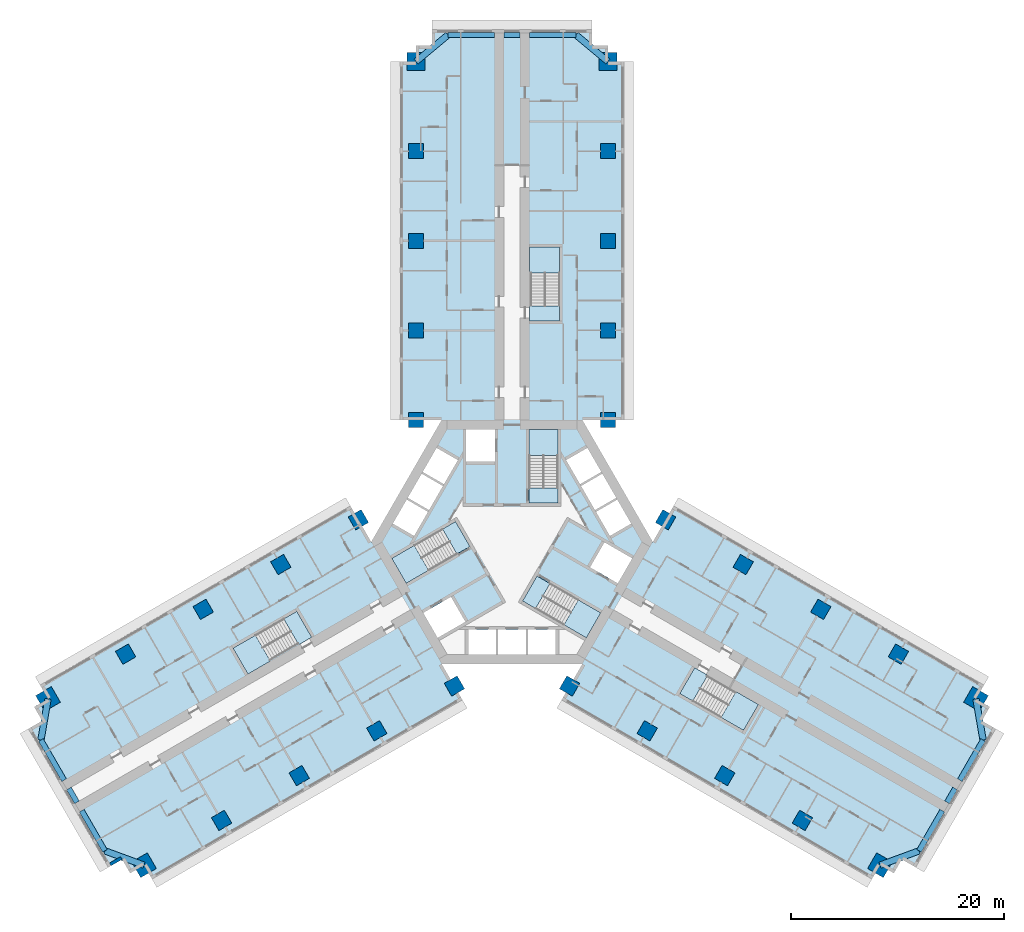
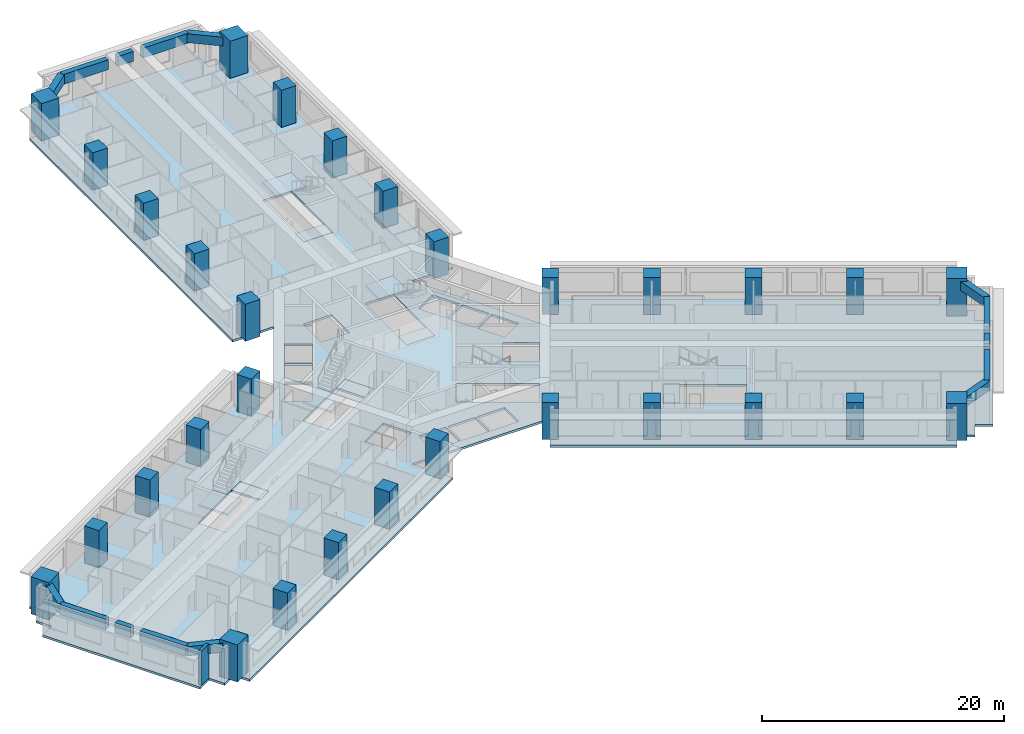
# One storey, part 1 of 14: 30 columns, 15 beams, 13 slabs, 1 wall, 6 elements without a shape of their own.
"""IFC4 building model written with IfcOpenShell, lengths in metres."""

import ifcopenshell
import ifcopenshell.guid

model = None  # the IFC model being written
_history = None  # IfcOwnerHistory: only IFC2X3 demands one
_inside = {}  # id of a spatial element -> (the spatial element, [elements in it])
_under = {}  # id of a project, library or spatial element -> (it, [spatial elements below it])
_declared = {}  # id of a project -> (the project, [libraries it declares])
_typed = {}  # id of a type object -> (the type object, [elements of that type])
_made_of = {}  # id of a material, layer set ... -> (it, [elements and type objects made of it])


def new_model(schema):
    """Start an empty IFC model of exactly this schema.

    Asked for "IFC4X3", IfcOpenShell would pick the latest addendum, in which some entities
    have other attributes; the version numbers below select the first issue.
    IFC2X3 requires an IfcOwnerHistory on every rooted entity: one is made here for all.
    """
    global model, _history
    if schema == "IFC4X3":
        model = ifcopenshell.file(schema_version=(4, 3, 0, 0))
    else:
        model = ifcopenshell.file(schema=schema)
    _inside.clear()
    _under.clear()
    _declared.clear()
    _typed.clear()
    _made_of.clear()
    _history = None
    if model.schema == "IFC2X3":
        org = make("IfcOrganization", Name="unknown")
        user = make(
            "IfcPersonAndOrganization",
            ThePerson=make("IfcPerson", FamilyName="unknown"),
            TheOrganization=org,
        )
        app = make(
            "IfcApplication",
            ApplicationDeveloper=org,
            Version="unknown",
            ApplicationFullName="unknown",
            ApplicationIdentifier="unknown",
        )
        _history = make(
            "IfcOwnerHistory",
            OwningUser=user,
            OwningApplication=app,
            ChangeAction="ADDED",
            CreationDate=0,
        )
    return model


def make(cls, **values):
    """One entity of the class cls with the attributes given. An attribute that is None is left unset."""
    return model.create_entity(
        cls, **{name: value for name, value in values.items() if value is not None}
    )


def rooted(cls, **values):
    """An entity with a GlobalId (a new one), such as an element, a storey or a relation."""
    return make(cls, GlobalId=ifcopenshell.guid.new(), OwnerHistory=_history, **values)


def si_unit(unit_type, name, prefix=None):
    """IfcSIUnit, for example si_unit("LENGTHUNIT", "METRE", prefix="MILLI")."""
    return make("IfcSIUnit", UnitType=unit_type, Prefix=prefix, Name=name)


def assignment(units):
    """IfcUnitAssignment: the units of a project."""
    return None if units is None else make("IfcUnitAssignment", Units=units)


def point(xyz):
    """IfcCartesianPoint."""
    return None if xyz is None else make("IfcCartesianPoint", Coordinates=xyz)


def direction(xyz):
    """IfcDirection."""
    return None if xyz is None else make("IfcDirection", DirectionRatios=xyz)


def frame(location, z_axis=None, x_axis=None):
    """IfcAxis2Placement3D, a coordinate frame: its origin and axes. An axis left out is left unset."""
    return make(
        "IfcAxis2Placement3D",
        Location=point(location),
        Axis=direction(z_axis),
        RefDirection=direction(x_axis),
    )


def frame_2d(location, x_axis=None):
    """IfcAxis2Placement2D, a coordinate frame in the plane: its origin and x axis."""
    return make(
        "IfcAxis2Placement2D", Location=point(location), RefDirection=direction(x_axis)
    )


def origin():
    """The frame at (0, 0, 0) with its axes left unset."""
    return frame((0.0, 0.0, 0.0))


def origin_2d():
    """The frame at (0, 0) in the plane with its x axis left unset."""
    return frame_2d((0.0, 0.0))


def place(relative_to, where):
    """IfcLocalPlacement: puts the frame where relative to a parent placement (None: the world)."""
    return make(
        "IfcLocalPlacement", PlacementRelTo=relative_to, RelativePlacement=where
    )


def context(
    kind, dimensions, precision=None, world=None, true_north=None, identifier=None
):
    """IfcGeometricRepresentationContext, for example the 3D "Model" context."""
    return make(
        "IfcGeometricRepresentationContext",
        ContextIdentifier=identifier,
        ContextType=kind,
        CoordinateSpaceDimension=dimensions,
        Precision=precision,
        WorldCoordinateSystem=world,
        TrueNorth=true_north,
    )


def subcontext(parent, identifier, kind, view, scale=None):
    """IfcGeometricRepresentationSubContext, for example "Body" below "Model"."""
    return make(
        "IfcGeometricRepresentationSubContext",
        ContextIdentifier=identifier,
        ContextType=kind,
        ParentContext=parent,
        TargetScale=scale,
        TargetView=view,
    )


def project(units=None, contexts=None):
    """IfcProject with its units and contexts."""
    return rooted(
        "IfcProject",
        Name="project",
        RepresentationContexts=contexts,
        UnitsInContext=assignment(units),
    )


def spatial(cls, under=None, at=None, **own):
    """A site, building, storey or space (cls), placed at a placement, below another one or the project."""
    s = rooted(cls, ObjectPlacement=at, **own)
    if under is not None:
        _under.setdefault(under.id(), (under, []))[1].append(s)
    return s


def polyline(points):
    """IfcPolyline through the points."""
    return make("IfcPolyline", Points=[point(p) for p in points])


def profile(cls, at=None, kind="AREA", **sizes):
    """A parametric profile (cls). Its sizes go by their IFC names, for example OverallWidth=200.0."""
    return make(cls, ProfileType=kind, Position=at, **sizes)


def rectangle(**sizes):
    """IfcRectangleProfileDef."""
    return profile("IfcRectangleProfileDef", **sizes)


def outline(outer, holes=None, kind="AREA"):
    """IfcArbitraryClosedProfileDef: a profile drawn as a closed curve; with holes, ...WithVoids."""
    if holes is None:
        return make("IfcArbitraryClosedProfileDef", ProfileType=kind, OuterCurve=outer)
    return make(
        "IfcArbitraryProfileDefWithVoids",
        ProfileType=kind,
        OuterCurve=outer,
        InnerCurves=holes,
    )


def extrude(swept, where, along, depth):
    """IfcExtrudedAreaSolid: the profile swept, set in the frame where, extruded along a direction by depth."""
    return make(
        "IfcExtrudedAreaSolid",
        SweptArea=swept,
        Position=where,
        ExtrudedDirection=direction(along),
        Depth=depth,
    )


def shape(context_of_items, identifier, shape_type, items):
    """IfcShapeRepresentation: the items that make up one representation, for example the "Body"."""
    return make(
        "IfcShapeRepresentation",
        ContextOfItems=context_of_items,
        RepresentationIdentifier=identifier,
        RepresentationType=shape_type,
        Items=items,
    )


def material(Name=None, Category=None):
    """IfcMaterial."""
    return make("IfcMaterial", Name=Name, Category=Category)


def layer(
    of_material, thickness, ventilated=None, Name=None, Category=None, Priority=None
):
    """IfcMaterialLayer: one layer of a wall or slab, of a material (None: an air gap)."""
    return make(
        "IfcMaterialLayer",
        Material=of_material,
        LayerThickness=thickness,
        IsVentilated=ventilated,
        Name=Name,
        Category=Category,
        Priority=Priority,
    )


def layer_set(layers, Name=None):
    """IfcMaterialLayerSet."""
    return make("IfcMaterialLayerSet", MaterialLayers=layers, LayerSetName=Name)


def material_profile(
    of_material, cross_section, Name=None, Category=None, Priority=None
):
    """IfcMaterialProfile: a cross section and its material."""
    return make(
        "IfcMaterialProfile",
        Name=Name,
        Material=of_material,
        Profile=cross_section,
        Priority=Priority,
        Category=Category,
    )


def profile_set(profiles, Name=None, composite=None):
    """IfcMaterialProfileSet."""
    return make(
        "IfcMaterialProfileSet",
        Name=Name,
        MaterialProfiles=profiles,
        CompositeProfile=composite,
    )


def made_of(thing, what):
    """Note that an element or type object is made of a material, layer set ...; save() writes the relation."""
    if what is not None:
        _made_of.setdefault(what.id(), (what, []))[1].append(thing)
    return thing


def type_object(cls, material=None, **own):
    """A type object (cls), such as IfcWallType, which elements share."""
    return made_of(rooted(cls, **own), material)


def element(
    cls,
    number,
    at=None,
    inside=None,
    cuts=None,
    type_object=None,
    material=None,
    context=None,
    identifier="Body",
    shape_type=None,
    held_by="IfcProductDefinitionShape",
    body=None,
    shapes=None,
    **own,
):
    """One element of the class cls, such as IfcWall. Its Tag is "e" and its number.

    at: its placement. inside: the storey or other place that contains it. cuts: it is an
    opening in that element (IfcRelVoidsElement). A single representation is given by context,
    identifier, shape_type and body (its items); several are given by shapes. held_by: the class
    of the entity that holds the representations. save() writes the other relations.
    """
    e = rooted(cls, Tag="e%d" % number, ObjectPlacement=at, **own)
    if body is not None:
        shapes = [shape(context, identifier, shape_type, body)]
    if shapes is not None:
        e.Representation = make(held_by, Representations=shapes)
    if inside is not None:
        _inside.setdefault(inside.id(), (inside, []))[1].append(e)
    if cuts is not None:
        rooted(
            "IfcRelVoidsElement", RelatingBuildingElement=cuts, RelatedOpeningElement=e
        )
    if type_object is not None:
        _typed.setdefault(type_object.id(), (type_object, []))[1].append(e)
    return made_of(e, material)


def aggregate(whole, parts):
    """IfcRelAggregates: a whole, such as a stair, and the parts it consists of."""
    return rooted("IfcRelAggregates", RelatingObject=whole, RelatedObjects=parts)


def save(model, path):
    """Write the relations noted so far, then the file.

    IfcRelAggregates (storeys below a building ...), IfcRelContainedInSpatialStructure (elements
    in a storey), IfcRelDefinesByType, IfcRelAssociatesMaterial and IfcRelDeclares: one each for
    every whole, place, type object, material and project.
    """
    for whole, parts in _under.values():
        aggregate(whole, parts)
    for where, things in _inside.values():
        rooted(
            "IfcRelContainedInSpatialStructure",
            RelatedElements=things,
            RelatingStructure=where,
        )
    for kind, things in _typed.values():
        rooted("IfcRelDefinesByType", RelatedObjects=things, RelatingType=kind)
    for what, things in _made_of.values():
        rooted("IfcRelAssociatesMaterial", RelatedObjects=things, RelatingMaterial=what)
    for by, libraries in _declared.values():
        rooted("IfcRelDeclares", RelatingContext=by, RelatedDefinitions=libraries)
    model.write(path)


model = new_model("IFC4")

# Units and contexts
model_context = context("Model", 3, precision=1e-05, world=origin(), true_north=direction((0.0, 1.0)))
body_context = subcontext(model_context, "Body", "Model", "MODEL_VIEW")
ifc_project = project(units=[si_unit("LENGTHUNIT", "METRE"), si_unit("AREAUNIT", "SQUARE_METRE"), si_unit("VOLUMEUNIT", "CUBIC_METRE"), si_unit("PLANEANGLEUNIT", "RADIAN"), si_unit("MASSUNIT", "GRAM", prefix="KILO")], contexts=[model_context])

# Site, building, storey
site_placement = place(None, origin())
site = spatial("IfcSite", under=ifc_project, at=site_placement, CompositionType="ELEMENT")
building_placement = place(site_placement, origin())
building = spatial("IfcBuilding", under=site, at=building_placement, Name="Impinga Residences", CompositionType="ELEMENT")
storey_placement = place(building_placement, frame((0.0, 0.0, 89.75)))
storey = spatial("IfcBuildingStorey", under=building, at=storey_placement, Name="L22", CompositionType="ELEMENT", Elevation=89.75)

# Columns
ifc_material_1 = material(Name="Concrete C70/85", Category="concrete")
ifc_material_profile_1 = material_profile(ifc_material_1, rectangle(XDim=1.699951171875, YDim=1.699951171875, at=origin_2d()), Name="RC 1700x1700")
ifc_profile_set_1 = profile_set([ifc_material_profile_1], Name="Concrete C70/85")
column_type_1 = type_object("IfcColumnType", Name="C10 1700x1700 column", PredefinedType="COLUMN", material=ifc_profile_set_1)
for number, where, z_axis, x_axis, name in (
    (1, (-9.0, 45.031494140625, 0.0), (0.0, 0.0, 1.0), (1.0, 0.0, 0.0), "Column C10 N5/NA L22"),
    (2, (9.0, 45.031494140625, 0.0), (0.0, 0.0, 1.0), (1.0, 0.0, 0.0), "Column C10 N5/NF L22"),
    (3, (-34.49853515625, -30.31005859375, 0.0), (0.0, 0.0, 1.0), (-0.5, 0.866025403784, 0.0), "Column C10 W5/WA L22"),
    (4, (-43.49853515625, -14.721435546875, 0.0), (0.0, 0.0, 1.0), (-0.5, 0.866025403784, 0.0), "Column C10 W5/WF L22"),
    (5, (43.49853515625, -14.721435546875, 0.0), (0.0, 0.0, 1.0), (-0.5, -0.866025403784, 0.0), "Column C10 E5/EA L22"),
    (6, (34.49853515625, -30.31005859375, 0.0), (0.0, 0.0, 1.0), (-0.5, -0.866025403784, 0.0), "Column C10 E5/EF L22"),
):
    element("IfcColumn", number, at=place(storey_placement, frame(where, z_axis=z_axis, x_axis=x_axis)), inside=storey, type_object=column_type_1, Name=name, PredefinedType="COLUMN", context=body_context, shape_type="SweptSolid", body=[
        extrude(rectangle(XDim=1.699951171875, YDim=1.699951171875, at=origin_2d()), origin(), (0.0, 0.0, 1.0), 3.75),
    ])
ifc_material_profile_2 = material_profile(ifc_material_1, rectangle(XDim=1.39990234375, YDim=1.39990234375, at=origin_2d()), Name="RC 1400x1400")
ifc_profile_set_2 = profile_set([ifc_material_profile_2], Name="Concrete C70/85")
column_type_2 = type_object("IfcColumnType", Name="C2 1400x1400 column", PredefinedType="COLUMN", material=ifc_profile_set_2)
for number, where, z_axis, x_axis, name in (
    (7, (-9.0, 11.431640625, 0.0), (0.0, 0.0, 1.0), (1.0, 0.0, 0.0), "Column C2 N1/NA L22"),
    (8, (9.0, 11.431640625, 0.0), (0.0, 0.0, 1.0), (1.0, 0.0, 0.0), "Column C2 N1/NF L22"),
    (9, (-9.0, 19.83154296875, 0.0), (0.0, 0.0, 1.0), (1.0, 0.0, 0.0), "Column C2 N2/NA L22"),
    (10, (9.0, 19.83154296875, 0.0), (0.0, 0.0, 1.0), (1.0, 0.0, 0.0), "Column C2 N2/NF L22"),
    (11, (-9.0, 28.2314453125, 0.0), (0.0, 0.0, 1.0), (1.0, 0.0, 0.0), "Column C2 N3/NA L22"),
    (12, (9.0, 28.2314453125, 0.0), (0.0, 0.0, 1.0), (1.0, 0.0, 0.0), "Column C2 N3/NF L22"),
    (13, (-9.0, 36.631591796875, 0.0), (0.0, 0.0, 1.0), (1.0, 0.0, 0.0), "Column C2 N4/NA L22"),
    (14, (9.0, 36.631591796875, 0.0), (0.0, 0.0, 1.0), (1.0, 0.0, 0.0), "Column C2 N4/NF L22"),
    (15, (-5.39990234375, -13.510009765625, 0.0), (0.0, 0.0, 1.0), (-0.5, 0.866025403784, 0.0), "Column C2 W1/WA L22"),
    (16, (-14.39990234375, 2.078369140625, 0.0), (0.0, 0.0, 1.0), (-0.5, 0.866025403784, 0.0), "Column C2 W1/WF L22"),
    (17, (-12.674560546875, -17.7099609375, 0.0), (0.0, 0.0, 1.0), (-0.5, 0.866025403784, 0.0), "Column C2 W2/WA L22"),
    (18, (-21.674560546875, -2.12158203125, 0.0), (0.0, 0.0, 1.0), (-0.5, 0.866025403784, 0.0), "Column C2 W2/WF L22"),
    (19, (-19.94921875, -21.909912109375, 0.0), (0.0, 0.0, 1.0), (-0.5, 0.866025403784, 0.0), "Column C2 W3/WA L22"),
    (20, (-28.94921875, -6.321533203125, 0.0), (0.0, 0.0, 1.0), (-0.5, 0.866025403784, 0.0), "Column C2 W3/WF L22"),
    (21, (-27.223876953125, -26.110107421875, 0.0), (0.0, 0.0, 1.0), (-0.5, 0.866025403784, 0.0), "Column C2 W4/WA L22"),
    (22, (-36.223876953125, -10.521484375, 0.0), (0.0, 0.0, 1.0), (-0.5, 0.866025403784, 0.0), "Column C2 W4/WF L22"),
    (23, (14.39990234375, 2.078369140625, 0.0), (0.0, 0.0, 1.0), (-0.5, -0.866025403784, 0.0), "Column C2 E1/EA L22"),
    (24, (5.39990234375, -13.510009765625, 0.0), (0.0, 0.0, 1.0), (-0.5, -0.866025403784, 0.0), "Column C2 E1/EF L22"),
    (25, (21.674560546875, -2.12158203125, 0.0), (0.0, 0.0, 1.0), (-0.5, -0.866025403784, 0.0), "Column C2 E2/EA L22"),
    (26, (12.674560546875, -17.7099609375, 0.0), (0.0, 0.0, 1.0), (-0.5, -0.866025403784, 0.0), "Column C2 E2/EF L22"),
    (27, (28.94921875, -6.321533203125, 0.0), (0.0, 0.0, 1.0), (-0.5, -0.866025403784, 0.0), "Column C2 E3/EA L22"),
    (28, (19.94921875, -21.909912109375, 0.0), (0.0, 0.0, 1.0), (-0.5, -0.866025403784, 0.0), "Column C2 E3/EF L22"),
    (29, (36.223876953125, -10.521484375, 0.0), (0.0, 0.0, 1.0), (-0.5, -0.866025403784, 0.0), "Column C2 E4/EA L22"),
    (30, (27.223876953125, -26.110107421875, 0.0), (0.0, 0.0, 1.0), (-0.5, -0.866025403784, 0.0), "Column C2 E4/EF L22"),
):
    element("IfcColumn", number, at=place(storey_placement, frame(where, z_axis=z_axis, x_axis=x_axis)), inside=storey, type_object=column_type_2, Name=name, PredefinedType="COLUMN", context=body_context, shape_type="SweptSolid", body=[
        extrude(rectangle(XDim=1.39990234375, YDim=1.39990234375, at=origin_2d()), origin(), (0.0, 0.0, 1.0), 3.75),
    ])

# Beams
ifc_material_2 = material(Name="Concrete C60/75", Category="concrete")
ifc_material_profile_3 = material_profile(ifc_material_2, rectangle(XDim=0.60009765625, YDim=0.89990234375, at=origin_2d()), Name="RC 600x900")
ifc_profile_set_3 = profile_set([ifc_material_profile_3], Name="Concrete C60/75")
beam_type_1 = type_object("IfcBeamType", Name="CB3 600x900 wing end cantilever beam under and at the L23 outrigger storey", PredefinedType="BEAM", material=ifc_profile_set_3)
for number, where, z_axis, x_axis, name in (
    (31, (-9.0, 45.031494140625, 3.0), (0.768221279597, 0.640184399664, 0.0), (-0.640184399664, 0.768221279597, 0.0), "Beam CB3 NB N5-NX level L23"),
    (32, (9.0, 45.031494140625, 3.0), (-0.768221279597, 0.640184399664, 0.0), (-0.640184399664, -0.768221279597, 0.0), "Beam CB3 NE N5-NX level L23"),
    (33, (-34.49853515625, -30.31005859375, 3.0), (-0.938520178725, 0.345224382289, 0.0), (-0.345224382289, -0.938520178725, 0.0), "Beam CB3 WB W5-WX level L23"),
):
    element("IfcBeam", number, at=place(storey_placement, frame(where, z_axis=z_axis, x_axis=x_axis)), inside=storey, type_object=beam_type_1, Name=name, PredefinedType="BEAM", context=body_context, shape_type="SweptSolid", body=[
        extrude(rectangle(XDim=0.60009765625, YDim=0.89990234375, at=origin_2d()), origin(), (0.0, 0.0, 1.0), 3.905029296875),
    ])
for number, where, z_axis, x_axis, name in (
    (34, (-43.49853515625, -14.721435546875, 3.0), (-0.170296298948, -0.985392901621, 0.0), (0.985392901621, -0.170296298948, 0.0), "Beam CB3 WE W5-WX level L23"),
    (35, (43.49853515625, -14.721435546875, 3.0), (0.170296298948, -0.985392901621, 0.0), (0.985392901621, 0.170296298948, 0.0), "Beam CB3 EB E5-EX level L23"),
):
    element("IfcBeam", number, at=place(storey_placement, frame(where, z_axis=z_axis, x_axis=x_axis)), inside=storey, type_object=beam_type_1, Name=name, PredefinedType="BEAM", context=body_context, shape_type="SweptSolid", body=[
        extrude(rectangle(XDim=0.60009765625, YDim=0.89990234375, at=origin_2d()), origin(), (0.0, 0.0, 1.0), 3.9052734375),
    ])
beam_1_placement = place(storey_placement, frame((34.49853515625, -30.31005859375, 3.0), z_axis=(0.938520178725, 0.345224382289, 0.0), x_axis=(-0.345224382289, 0.938520178725, 0.0)))
element("IfcBeam", 36, at=beam_1_placement, inside=storey, type_object=beam_type_1, Name="Beam CB3 EE E5-EX level L23", PredefinedType="BEAM", context=body_context, shape_type="SweptSolid", body=[
    extrude(rectangle(XDim=0.60009765625, YDim=0.89990234375, at=origin_2d()), origin(), (0.0, 0.0, 1.0), 3.905029296875),
])
ifc_material_profile_4 = material_profile(ifc_material_2, rectangle(XDim=0.5, YDim=1.0, at=origin_2d()), Name="RC 500x1000")
ifc_profile_set_4 = profile_set([ifc_material_profile_4], Name="Concrete C60/75")
beam_type_2 = type_object("IfcBeamType", Name="EB1 500x1000 wing end beam", PredefinedType="BEAM", material=ifc_profile_set_4)
beam_2_placement = place(storey_placement, frame((-6.0, 47.531494140625, 2.949951171875), z_axis=(1.0, 0.0, 0.0), x_axis=(0.0, 1.0, 0.0)))
element("IfcBeam", 37, at=beam_2_placement, inside=storey, type_object=beam_type_2, Name="Beam EB1 NX4 level L23", PredefinedType="BEAM", context=body_context, shape_type="SweptSolid", body=[
    extrude(rectangle(XDim=0.5, YDim=1.0, at=origin_2d()), origin(), (0.0, 0.0, 1.0), 4.35009765625),
])
beam_3_placement = place(storey_placement, frame((-0.75, 47.531494140625, 2.949951171875), z_axis=(1.0, 0.0, 0.0), x_axis=(0.0, 1.0, 0.0)))
element("IfcBeam", 38, at=beam_3_placement, inside=storey, type_object=beam_type_2, Name="Beam EB1 NX4 level L23", PredefinedType="BEAM", context=body_context, shape_type="SweptSolid", body=[
    extrude(rectangle(XDim=0.5, YDim=1.0, at=origin_2d()), origin(), (0.0, 0.0, 1.0), 1.5),
])
beam_4_placement = place(storey_placement, frame((1.64990234375, 47.531494140625, 2.949951171875), z_axis=(1.0, 0.0, 0.0), x_axis=(0.0, 1.0, 0.0)))
element("IfcBeam", 39, at=beam_4_placement, inside=storey, type_object=beam_type_2, Name="Beam EB1 NX4 level L23", PredefinedType="BEAM", context=body_context, shape_type="SweptSolid", body=[
    extrude(rectangle(XDim=0.5, YDim=1.0, at=origin_2d()), origin(), (0.0, 0.0, 1.0), 4.35009765625),
])
beam_5_placement = place(storey_placement, frame((-38.16357421875, -28.9619140625, 2.949951171875), z_axis=(-0.500020430026, 0.866013608182, 0.0), x_axis=(-0.866013608182, -0.500020430026, 0.0)))
element("IfcBeam", 40, at=beam_5_placement, inside=storey, type_object=beam_type_2, Name="Beam EB1 WX4 level L23", PredefinedType="BEAM", context=body_context, shape_type="SweptSolid", body=[
    extrude(rectangle(XDim=0.5, YDim=1.0, at=origin_2d()), origin(), (0.0, 0.0, 1.0), 4.349853515625),
])
beam_6_placement = place(storey_placement, frame((-40.78857421875, -24.415283203125, 2.949951171875), z_axis=(-0.499990139034, 0.866031096941, 0.0), x_axis=(-0.866031096941, -0.499990139034, 0.0)))
element("IfcBeam", 41, at=beam_6_placement, inside=storey, type_object=beam_type_2, Name="Beam EB1 WX4 level L23", PredefinedType="BEAM", context=body_context, shape_type="SweptSolid", body=[
    extrude(rectangle(XDim=0.5, YDim=1.0, at=origin_2d()), origin(), (0.0, 0.0, 1.0), 1.5),
])
for number, where, z_axis, x_axis, name in (
    (42, (-41.988525390625, -22.3369140625, 2.949951171875), (-0.499996127374, 0.866027639635, 0.0), (-0.866027639635, -0.499996127374, 0.0), "Beam EB1 WX4 level L23"),
    (43, (44.16357421875, -18.569580078125, 2.949951171875), (-0.499996127374, -0.866027639635, 0.0), (0.866027639635, -0.499996127374, 0.0), "Beam EB1 EX4 level L23"),
):
    element("IfcBeam", number, at=place(storey_placement, frame(where, z_axis=z_axis, x_axis=x_axis)), inside=storey, type_object=beam_type_2, Name=name, PredefinedType="BEAM", context=body_context, shape_type="SweptSolid", body=[
        extrude(rectangle(XDim=0.5, YDim=1.0, at=origin_2d()), origin(), (0.0, 0.0, 1.0), 4.35009765625),
    ])
beam_7_placement = place(storey_placement, frame((41.53857421875, -23.1162109375, 2.949951171875), z_axis=(-0.499990139034, -0.866031096941, 0.0), x_axis=(0.866031096941, -0.499990139034, 0.0)))
element("IfcBeam", 44, at=beam_7_placement, inside=storey, type_object=beam_type_2, Name="Beam EB1 EX4 level L23", PredefinedType="BEAM", context=body_context, shape_type="SweptSolid", body=[
    extrude(rectangle(XDim=0.5, YDim=1.0, at=origin_2d()), origin(), (0.0, 0.0, 1.0), 1.5),
])
beam_8_placement = place(storey_placement, frame((40.338623046875, -25.19482421875, 2.949951171875), z_axis=(-0.500020430026, -0.866013608182, 0.0), x_axis=(0.866013608182, -0.500020430026, 0.0)))
element("IfcBeam", 45, at=beam_8_placement, inside=storey, type_object=beam_type_2, Name="Beam EB1 EX4 level L23", PredefinedType="BEAM", context=body_context, shape_type="SweptSolid", body=[
    extrude(rectangle(XDim=0.5, YDim=1.0, at=origin_2d()), origin(), (0.0, 0.0, 1.0), 4.349853515625),
])

# Slab
ifc_layer_1 = layer(ifc_material_2, 0.219970703125)
ifc_layer_set_1 = layer_set([ifc_layer_1], Name="Concrete C60/75")
slab_type_1 = type_object("IfcSlabType", Name="FS1 tower floor slab 220", PredefinedType="FLOOR", material=ifc_layer_set_1)
slab_1_placement = place(storey_placement, frame((0.0, 0.0, -0.219970703125)))
element("IfcSlab", 46, at=slab_1_placement, inside=storey, type_object=slab_type_1, Name="Floor slab FS1 L22", PredefinedType="FLOOR", context=body_context, shape_type="SweptSolid", body=[
    extrude(outline(polyline([(-34.49853515625, -30.31005859375), (-35.797607421875, -31.06005859375), (-36.547607421875, -29.760986328125), (-37.846435546875, -30.510986328125), (-45.346435546875, -17.5205078125), (-44.047607421875, -16.7705078125), (-44.797607421875, -15.471435546875), (-43.49853515625, -14.721435546875), (-44.24853515625, -13.422607421875), (-15.14990234375, 3.37744140625), (-13.199951171875, 0.0), (-6.60009765625, 11.431640625), (-10.5, 11.431640625), (-10.5, 45.031494140625), (-9.0, 45.031494140625), (-9.0, 46.531494140625), (-7.5, 46.531494140625), (-7.5, 48.031494140625), (7.5, 48.031494140625), (7.5, 46.531494140625), (9.0, 46.531494140625), (9.0, 45.031494140625), (10.5, 45.031494140625), (10.5, 11.431640625), (6.60009765625, 11.431640625), (13.199951171875, 0.0), (15.14990234375, 3.37744140625), (44.24853515625, -13.422607421875), (43.49853515625, -14.721435546875), (44.797607421875, -15.471435546875), (44.047607421875, -16.7705078125), (45.346435546875, -17.5205078125), (37.846435546875, -30.510986328125), (36.547607421875, -29.760986328125), (35.797607421875, -31.06005859375), (34.49853515625, -30.31005859375), (33.74853515625, -31.609130859375), (4.64990234375, -14.80908203125), (9.900146484375, -5.7158203125), (6.60009765625, -11.431640625), (-6.60009765625, -11.431640625), (-9.900146484375, -5.7158203125), (-4.64990234375, -14.80908203125), (-33.74853515625, -31.609130859375), (-34.49853515625, -30.31005859375)]), holes=[polyline([(-21.391357421875, -7.2119140625), (-26.154541015625, -9.9619140625), (-24.8046875, -12.30029296875), (-20.04150390625, -9.55029296875), (-19.991455078125, -9.63671875), (-18.779052734375, -8.936767578125), (-18.8291015625, -8.850341796875), (-18.8291015625, -8.850341796875), (-20.178955078125, -6.511962890625), (-21.391357421875, -7.2119140625), (-21.391357421875, -7.2119140625)]), polyline([(-1.5, -8.2314453125), (-4.10009765625, -8.2314453125), (-4.10009765625, -10.531494140625), (-1.5, -10.531494140625), (-1.5, -8.2314453125)]), polyline([(1.300048828125, -8.2314453125), (-1.300048828125, -8.2314453125), (-1.300048828125, -10.531494140625), (1.300048828125, -10.531494140625), (1.300048828125, -8.2314453125)]), polyline([(1.5, -8.2314453125), (1.5, -10.531494140625), (4.10009765625, -10.531494140625), (4.10009765625, -8.2314453125), (1.5, -8.2314453125)]), polyline([(-5.72119140625, -5.150634765625), (-8.320556640625, -6.6513671875), (-6.970458984375, -8.98974609375), (-4.37109375, -7.489013671875), (-5.72119140625, -5.150634765625)]), polyline([(-3.943603515625, -0.429443359375), (-5.293701171875, 1.908935546875), (-11.2705078125, -1.541748046875), (-9.920654296875, -3.880126953125), (-3.943603515625, -0.429443359375)]), polyline([(-9.1787109375, 0.56494140625), (-7.878662109375, 2.816650390625), (-9.87060546875, 3.966796875), (-11.170654296875, 1.715087890625), (-9.1787109375, 0.56494140625)]), polyline([(-6.478759765625, 5.24169921875), (-8.470458984375, 6.3916015625), (-9.7705078125, 4.139892578125), (-7.77880859375, 2.989990234375), (-6.478759765625, 5.24169921875)]), polyline([(-6.378662109375, 5.414794921875), (-5.07861328125, 7.66650390625), (-7.070556640625, 8.81640625), (-8.37060546875, 6.564697265625), (-6.378662109375, 5.414794921875)]), polyline([(-4.300048828125, 7.530029296875), (-1.60009765625, 7.530029296875), (-1.60009765625, 10.531494140625), (-4.300048828125, 10.531494140625), (-4.300048828125, 7.530029296875)]), polyline([(15.72900390625, -14.219482421875), (21.70458984375, -17.669677734375), (23.0546875, -15.331298828125), (18.29150390625, -12.581298828125), (18.341552734375, -12.49462890625), (17.129150390625, -11.794677734375), (15.72900390625, -14.219482421875)]), polyline([(0.99365234375, -5.538818359375), (6.970458984375, -8.98974609375), (8.320556640625, -6.6513671875), (2.34375, -3.20068359375), (0.99365234375, -5.538818359375)]), polyline([(8.671142578125, -0.041015625), (7.3212890625, -2.37939453125), (9.920654296875, -3.880126953125), (11.2705078125, -1.541748046875), (8.671142578125, -0.041015625)]), polyline([(7.878662109375, 2.816650390625), (9.1787109375, 0.56494140625), (11.170654296875, 1.715087890625), (9.87060546875, 3.966796875), (7.878662109375, 2.816650390625)]), polyline([(7.77880859375, 2.989990234375), (9.7705078125, 4.139892578125), (8.470458984375, 6.3916015625), (6.478759765625, 5.24169921875), (7.77880859375, 2.989990234375)]), polyline([(1.60009765625, 3.6298828125), (4.300048828125, 3.6298828125), (4.300048828125, 10.531494140625), (1.60009765625, 10.531494140625), (1.60009765625, 3.6298828125)]), polyline([(5.07861328125, 7.66650390625), (6.378662109375, 5.414794921875), (8.37060546875, 6.564697265625), (7.070556640625, 8.81640625), (5.07861328125, 7.66650390625)]), polyline([(1.75, 22.131591796875), (1.64990234375, 22.131591796875), (1.64990234375, 20.7314453125), (1.75, 20.7314453125), (4.449951171875, 20.7314453125), (4.449951171875, 22.131591796875), (4.449951171875, 27.631591796875), (1.75, 27.631591796875), (1.75, 22.131591796875)])]), origin(), (0.0, 0.0, 1.0), 0.219970703125),
])

# Stair, slabs
ifc_material_3 = material(Name="Concrete C40/50", Category="concrete")
stair_type_1 = type_object("IfcStairType", Name="STR core stair 3750 storey, 24 risers", PredefinedType="HALF_TURN_STAIR", material=ifc_material_3)
stair_1_placement = place(storey_placement, origin())
stair_1 = element("IfcStair", 47, at=stair_1_placement, inside=storey, type_object=stair_type_1, Name="Stair ST1 L22", PredefinedType="HALF_TURN_STAIR")
ifc_layer_2 = layer(ifc_material_3, 0.199951171875)
ifc_layer_set_2 = layer_set([ifc_layer_2], Name="Concrete C40/50")
slab_type_2 = type_object("IfcSlabType", Name="LS1 stair landing 200", PredefinedType="LANDING", material=ifc_layer_set_2)
slab_2_placement = place(storey_placement, frame((0.0, 0.0, -0.199951171875)))
slab_2 = element("IfcSlab", 48, at=slab_2_placement, type_object=slab_type_2, Name="ST1 landing 1", PredefinedType="LANDING", context=body_context, shape_type="SweptSolid", body=[
    extrude(outline(polyline([(1.60009765625, 3.6298828125), (4.300048828125, 3.6298828125), (4.300048828125, 5.0400390625), (1.60009765625, 5.0400390625), (1.60009765625, 3.6298828125)])), origin(), (0.0, 0.0, 1.0), 0.199951171875),
])
slab_3_placement = place(storey_placement, frame((0.0, 0.0, 1.675048828125)))
slab_3 = element("IfcSlab", 49, at=slab_3_placement, type_object=slab_type_2, Name="ST1 landing 2", PredefinedType="LANDING", context=body_context, shape_type="SweptSolid", body=[
    extrude(outline(polyline([(1.60009765625, 8.10009765625), (4.300048828125, 8.10009765625), (4.300048828125, 10.531494140625), (1.60009765625, 10.531494140625), (1.60009765625, 8.10009765625)])), origin(), (0.0, 0.0, 1.0), 0.199951171875),
])
aggregate(stair_1, [slab_2, slab_3])

stair_2_placement = place(storey_placement, origin())
stair_2 = element("IfcStair", 50, at=stair_2_placement, inside=storey, type_object=stair_type_1, Name="Stair ST2 L22", PredefinedType="HALF_TURN_STAIR")
slab_4_placement = place(storey_placement, frame((0.0, 0.0, -0.199951171875)))
slab_4 = element("IfcSlab", 51, at=slab_4_placement, type_object=slab_type_2, Name="ST2 landing 1", PredefinedType="LANDING", context=body_context, shape_type="SweptSolid", body=[
    extrude(outline(polyline([(-3.943603515625, -0.429443359375), (-5.293701171875, 1.908935546875), (-6.5146484375, 1.203857421875), (-5.164794921875, -1.13427734375), (-3.943603515625, -0.429443359375)])), origin(), (0.0, 0.0, 1.0), 0.199951171875),
])
slab_5_placement = place(storey_placement, frame((0.0, 0.0, 1.675048828125)))
slab_5 = element("IfcSlab", 52, at=slab_5_placement, type_object=slab_type_2, Name="ST2 landing 2", PredefinedType="LANDING", context=body_context, shape_type="SweptSolid", body=[
    extrude(outline(polyline([(-7.814697265625, -2.664306640625), (-9.164794921875, -0.326171875), (-11.2705078125, -1.541748046875), (-9.920654296875, -3.880126953125), (-7.814697265625, -2.664306640625)])), origin(), (0.0, 0.0, 1.0), 0.199951171875),
])
aggregate(stair_2, [slab_4, slab_5])

stair_3_placement = place(storey_placement, origin())
stair_3 = element("IfcStair", 53, at=stair_3_placement, inside=storey, type_object=stair_type_1, Name="Stair ST3 L22", PredefinedType="HALF_TURN_STAIR")
slab_6_placement = place(storey_placement, frame((0.0, 0.0, -0.199951171875)))
slab_6 = element("IfcSlab", 54, at=slab_6_placement, type_object=slab_type_2, Name="ST3 landing 1", PredefinedType="LANDING", context=body_context, shape_type="SweptSolid", body=[
    extrude(outline(polyline([(2.34375, -3.20068359375), (0.99365234375, -5.538818359375), (2.21484375, -6.243896484375), (3.564697265625, -3.90576171875), (2.34375, -3.20068359375)])), origin(), (0.0, 0.0, 1.0), 0.199951171875),
])
slab_7_placement = place(storey_placement, frame((0.0, 0.0, 1.675048828125)))
slab_7 = element("IfcSlab", 55, at=slab_7_placement, type_object=slab_type_2, Name="ST3 landing 2", PredefinedType="LANDING", context=body_context, shape_type="SweptSolid", body=[
    extrude(outline(polyline([(6.21484375, -5.435546875), (4.86474609375, -7.77392578125), (6.970458984375, -8.98974609375), (8.320556640625, -6.6513671875), (6.21484375, -5.435546875)])), origin(), (0.0, 0.0, 1.0), 0.199951171875),
])
aggregate(stair_3, [slab_6, slab_7])

stair_type_2 = type_object("IfcStairType", Name="STR wing stair 3750 storey, 24 risers", PredefinedType="HALF_TURN_STAIR", material=ifc_material_3)
stair_4_placement = place(storey_placement, origin())
stair_4 = element("IfcStair", 56, at=stair_4_placement, inside=storey, type_object=stair_type_2, Name="Stair WS1 L22", PredefinedType="HALF_TURN_STAIR")
slab_8_placement = place(storey_placement, frame((0.0, 0.0, -0.199951171875)))
slab_8 = element("IfcSlab", 57, at=slab_8_placement, type_object=slab_type_2, Name="WS1 landing 1", PredefinedType="LANDING", context=body_context, shape_type="SweptSolid", body=[
    extrude(outline(polyline([(1.64990234375, 20.7314453125), (4.449951171875, 20.7314453125), (4.449951171875, 22.1416015625), (1.64990234375, 22.1416015625), (1.64990234375, 20.7314453125)])), origin(), (0.0, 0.0, 1.0), 0.199951171875),
])
slab_9_placement = place(storey_placement, frame((0.0, 0.0, 1.675048828125)))
slab_9 = element("IfcSlab", 58, at=slab_9_placement, type_object=slab_type_2, Name="WS1 landing 2", PredefinedType="LANDING", context=body_context, shape_type="SweptSolid", body=[
    extrude(outline(polyline([(1.64990234375, 25.201416015625), (4.449951171875, 25.201416015625), (4.449951171875, 27.631591796875), (1.64990234375, 27.631591796875), (1.64990234375, 25.201416015625)])), origin(), (0.0, 0.0, 1.0), 0.199951171875),
])
aggregate(stair_4, [slab_8, slab_9])

stair_5_placement = place(storey_placement, origin())
stair_5 = element("IfcStair", 59, at=stair_5_placement, inside=storey, type_object=stair_type_2, Name="Stair WS2 L22", PredefinedType="HALF_TURN_STAIR")
slab_10_placement = place(storey_placement, frame((0.0, 0.0, -0.199951171875)))
slab_10 = element("IfcSlab", 60, at=slab_10_placement, type_object=slab_type_2, Name="WS2 landing 1", PredefinedType="LANDING", context=body_context, shape_type="SweptSolid", body=[
    extrude(outline(polyline([(-18.779052734375, -8.936767578125), (-20.178955078125, -6.511962890625), (-21.400146484375, -7.217041015625), (-20.000244140625, -9.641845703125), (-18.779052734375, -8.936767578125)])), origin(), (0.0, 0.0, 1.0), 0.199951171875),
])
slab_11_placement = place(storey_placement, frame((0.0, 0.0, 1.675048828125)))
slab_11 = element("IfcSlab", 61, at=slab_11_placement, type_object=slab_type_2, Name="WS2 landing 2", PredefinedType="LANDING", context=body_context, shape_type="SweptSolid", body=[
    extrude(outline(polyline([(-22.650146484375, -11.171875), (-24.050048828125, -8.7470703125), (-26.154541015625, -9.9619140625), (-24.754638671875, -12.38671875), (-22.650146484375, -11.171875)])), origin(), (0.0, 0.0, 1.0), 0.199951171875),
])
aggregate(stair_5, [slab_10, slab_11])

stair_6_placement = place(storey_placement, origin())
stair_6 = element("IfcStair", 62, at=stair_6_placement, inside=storey, type_object=stair_type_2, Name="Stair WS3 L22", PredefinedType="HALF_TURN_STAIR")
slab_12_placement = place(storey_placement, frame((0.0, 0.0, -0.199951171875)))
slab_12 = element("IfcSlab", 63, at=slab_12_placement, type_object=slab_type_2, Name="WS3 landing 1", PredefinedType="LANDING", context=body_context, shape_type="SweptSolid", body=[
    extrude(outline(polyline([(17.129150390625, -11.794677734375), (15.72900390625, -14.219482421875), (16.9501953125, -14.924560546875), (18.35009765625, -12.499755859375), (17.129150390625, -11.794677734375)])), origin(), (0.0, 0.0, 1.0), 0.199951171875),
])
slab_13_placement = place(storey_placement, frame((0.0, 0.0, 1.675048828125)))
slab_13 = element("IfcSlab", 64, at=slab_13_placement, type_object=slab_type_2, Name="WS3 landing 2", PredefinedType="LANDING", context=body_context, shape_type="SweptSolid", body=[
    extrude(outline(polyline([(21.000244140625, -14.02978515625), (19.60009765625, -16.45458984375), (21.70458984375, -17.669677734375), (23.1044921875, -15.24462890625), (21.000244140625, -14.02978515625)])), origin(), (0.0, 0.0, 1.0), 0.199951171875),
])
aggregate(stair_6, [slab_12, slab_13])

# Wall
ifc_material_4 = material(Name="Terracotta rainscreen on blockwork", Category="masonry")
ifc_layer_3 = layer(ifc_material_4, 0.300048828125)
ifc_layer_set_3 = layer_set([ifc_layer_3], Name="EW1 external wall, terracotta rainscreen on blockwork 300")
wall_type = type_object("IfcWallType", Name="EW1 external wall, terracotta rainscreen on blockwork 300", PredefinedType="SOLIDWALL", material=ifc_layer_set_3)
wall_placement = place(storey_placement, frame((-36.626708984375, -29.633544921875, 0.0), z_axis=(0.0, 0.0, 1.0), x_axis=(-0.866059708757, -0.499940577336, 0.0)))
element("IfcWall", 65, at=wall_placement, inside=storey, type_object=wall_type, Name="External wall EW1 L22", PredefinedType="SOLIDWALL", context=body_context, shape_type="SweptSolid", body=[
    extrude(rectangle(XDim=1.195068359375, YDim=0.300048828125, at=frame_2d((0.59765625, 0.0))), origin(), (0.0, 0.0, 1.0), 3.449951171875),
])

save(model, "model.ifc")
